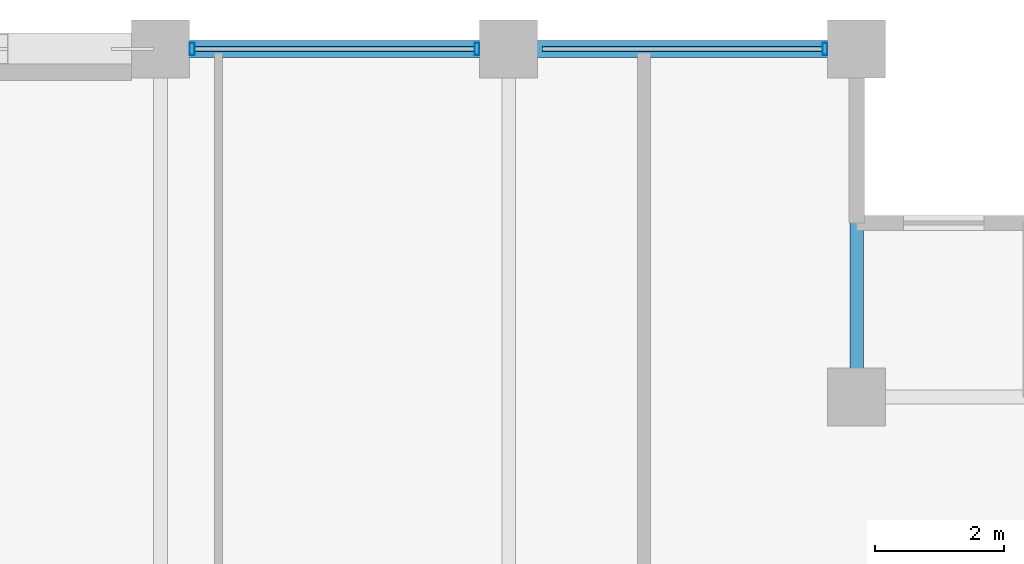
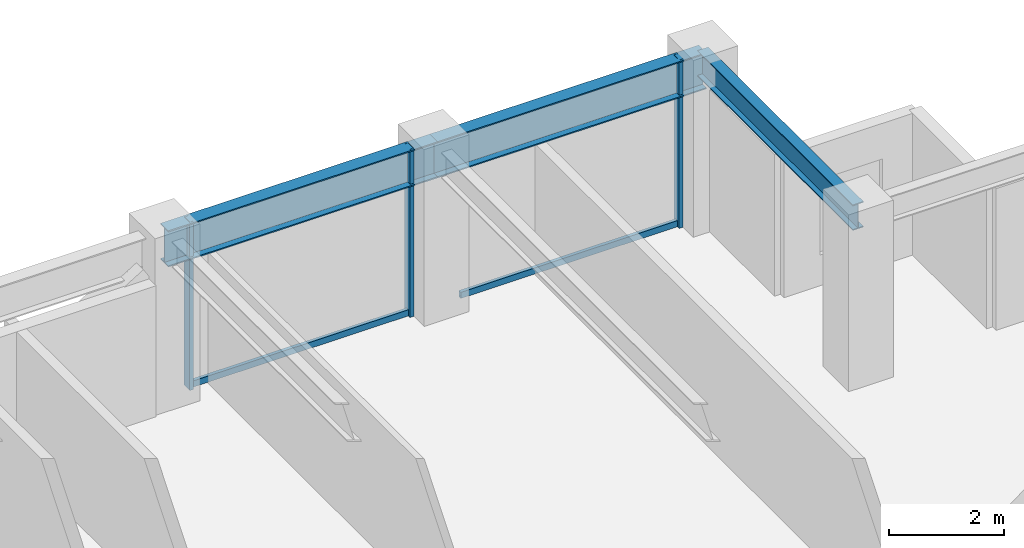
# One storey, part 19 of 28: 5 members, 3 beams, 1 element without a shape of its own.
"""IFC4 building model written with IfcOpenShell, lengths in metres."""

from ifc_helpers import new_model, si_unit, direction, frame, origin, origin_2d, place, context, subcontext, project, spatial, hollow_rectangle, i_section, extrude, material, layer, layer_set, material_profile, profile_set, type_object, element, aggregate, save


model = new_model("IFC4")

# Units and contexts
model_context = context("Model", 3, precision=1e-05, world=origin(), true_north=direction((0.0, 1.0)))
body_context = subcontext(model_context, "Body", "Model", "MODEL_VIEW")
ifc_project = project(units=[si_unit("LENGTHUNIT", "METRE"), si_unit("AREAUNIT", "SQUARE_METRE"), si_unit("VOLUMEUNIT", "CUBIC_METRE"), si_unit("PLANEANGLEUNIT", "RADIAN"), si_unit("MASSUNIT", "GRAM", prefix="KILO")], contexts=[model_context])

# Site, building, storey
site_placement = place(None, origin())
site = spatial("IfcSite", under=ifc_project, at=site_placement, CompositionType="ELEMENT")
building_placement = place(site_placement, origin())
building = spatial("IfcBuilding", under=site, at=building_placement, Name="Surkhivell Harbour Commons", CompositionType="ELEMENT")
storey_placement = place(building_placement, frame((0.0, 0.0, 182.25)))
storey = spatial("IfcBuildingStorey", under=building, at=storey_placement, Name="L47", CompositionType="ELEMENT", Elevation=182.25)

# Beams
ifc_material_1 = material(Name="Steel S355", Category="steel")
ifc_material_profile_1 = material_profile(ifc_material_1, i_section(OverallWidth=0.2119140625, OverallDepth=0.5439453125, WebThickness=0.0126953125, FlangeThickness=0.021240234375, at=origin_2d()), Name="UB533x210x122")
ifc_profile_set_1 = profile_set([ifc_material_profile_1], Name="Steel S355")
beam_type_1 = type_object("IfcBeamType", Name="BM-GRD-533A", PredefinedType="BEAM", material=ifc_profile_set_1)
beam_1_placement = place(storey_placement, frame((16.199951171875, 20.5, 3.298095703125), z_axis=(0.0, 1.0, 0.0), x_axis=(-1.0, 0.0, 0.0)))
element("IfcBeam", 1, at=beam_1_placement, inside=storey, type_object=beam_type_1, Name="L47 Floor Girder (16.2,20.5)", PredefinedType="BEAM", context=body_context, shape_type="SweptSolid", body=[
    extrude(i_section(OverallWidth=0.2119140625, OverallDepth=0.5439453125, WebThickness=0.0126953125, FlangeThickness=0.021240234375, at=origin_2d()), origin(), (0.0, 0.0, 1.0), 5.39990234375),
])
ifc_material_profile_2 = material_profile(ifc_material_1, i_section(OverallWidth=0.26806640625, OverallDepth=0.77001953125, WebThickness=0.015625, FlangeThickness=0.025390625, at=origin_2d()), Name="UB762x267x197")
ifc_profile_set_2 = profile_set([ifc_material_profile_2], Name="Steel S355")
beam_type_2 = type_object("IfcBeamType", Name="BM-SPN-762", PredefinedType="SPANDREL", material=ifc_profile_set_2)
beam_2_placement = place(storey_placement, frame((5.39990234375, 25.89990234375, 3.18505859375), z_axis=(1.0, 0.0, 0.0), x_axis=(0.0, 1.0, 0.0)))
element("IfcBeam", 2, at=beam_2_placement, inside=storey, type_object=beam_type_2, Name="L47 Tube Spandrel (5.4,25.9)", PredefinedType="SPANDREL", context=body_context, shape_type="SweptSolid", body=[
    extrude(i_section(OverallWidth=0.26806640625, OverallDepth=0.77001953125, WebThickness=0.015625, FlangeThickness=0.025390625, at=origin_2d()), origin(), (0.0, 0.0, 1.0), 5.400146484375),
])
beam_3_placement = place(storey_placement, frame((10.800048828125, 25.89990234375, 3.18505859375), z_axis=(1.0, 0.0, 0.0), x_axis=(0.0, 1.0, 0.0)))
element("IfcBeam", 3, at=beam_3_placement, inside=storey, type_object=beam_type_2, Name="L47 Tube Spandrel (10.8,25.9)", PredefinedType="SPANDREL", context=body_context, shape_type="SweptSolid", body=[
    extrude(i_section(OverallWidth=0.26806640625, OverallDepth=0.77001953125, WebThickness=0.015625, FlangeThickness=0.025390625, at=origin_2d()), origin(), (0.0, 0.0, 1.0), 5.39990234375),
])

# Curtain wall, members
ifc_material_2 = material(Name="Anodised pale-metal aluminium and insulated glazing", Category="aluminium")
ifc_layer = layer(ifc_material_2, 0.18994140625)
ifc_layer_set = layer_set([ifc_layer], Name="Anodised pale-metal aluminium and insulated glazing")
curtain_wall_type = type_object("IfcCurtainWallType", Name="CW-SYS-Z3", PredefinedType="NOTDEFINED", material=ifc_layer_set)
curtain_wall_placement = place(storey_placement, origin())
curtain_wall = element("IfcCurtainWall", 4, at=curtain_wall_placement, inside=storey, type_object=curtain_wall_type, Name="L47 Curtain Wall CW-L47-E07S1", PredefinedType="NOTDEFINED")
ifc_material_3 = material(Name="Anodised pale-metal aluminium alloy 6063-T6", Category="aluminium")
ifc_material_profile_3 = material_profile(ifc_material_3, hollow_rectangle(XDim=0.074951171875, YDim=0.18994140625, WallThickness=0.00390625, at=origin_2d()), Name="ALU-MULL-75x190")
ifc_profile_set_3 = profile_set([ifc_material_profile_3], Name="Anodised pale-metal aluminium alloy 6063-T6")
member_type_1 = type_object("IfcMemberType", Name="CWM-190", PredefinedType="MULLION", material=ifc_profile_set_3)
member_1_placement = place(storey_placement, frame((15.71044921875, 25.89990234375, 0.0), z_axis=(0.0, 0.0, 1.0), x_axis=(-1.0, 0.0, 0.0)))
member_1 = element("IfcMember", 5, at=member_1_placement, type_object=member_type_1, Name="CW-Z3 mullion 1", PredefinedType="MULLION", context=body_context, shape_type="SweptSolid", body=[
    extrude(hollow_rectangle(XDim=0.074951171875, YDim=0.18994140625, WallThickness=0.00390625, at=origin_2d()), origin(), (0.0, 0.0, 1.0), 3.570068359375),
])
member_2_placement = place(storey_placement, frame((10.310546875, 25.89990234375, 0.0), z_axis=(0.0, 0.0, 1.0), x_axis=(-1.0, 0.0, 0.0)))
member_2 = element("IfcMember", 6, at=member_2_placement, type_object=member_type_1, Name="CW-Z3 mullion 2", PredefinedType="MULLION", context=body_context, shape_type="SweptSolid", body=[
    extrude(hollow_rectangle(XDim=0.074951171875, YDim=0.18994140625, WallThickness=0.00390625, at=origin_2d()), origin(), (0.0, 0.0, 1.0), 3.570068359375),
])
member_3_placement = place(storey_placement, frame((5.889404296875, 25.89990234375, 0.0), z_axis=(0.0, 0.0, 1.0), x_axis=(-1.0, 0.0, 0.0)))
member_3 = element("IfcMember", 7, at=member_3_placement, type_object=member_type_1, Name="CW-Z3 mullion 3", PredefinedType="MULLION", context=body_context, shape_type="SweptSolid", body=[
    extrude(hollow_rectangle(XDim=0.074951171875, YDim=0.18994140625, WallThickness=0.00390625, at=origin_2d()), origin(), (0.0, 0.0, 1.0), 3.570068359375),
])
ifc_material_4 = material(Name="Champagne anodised aluminium alloy 6063-T6", Category="aluminium")
ifc_material_profile_4 = material_profile(ifc_material_4, hollow_rectangle(XDim=0.070068359375, YDim=0.1298828125, WallThickness=0.00341796875, at=origin_2d()), Name="ALU-TRAN-70x130")
ifc_profile_set_4 = profile_set([ifc_material_profile_4], Name="Champagne anodised aluminium alloy 6063-T6")
member_type_2 = type_object("IfcMemberType", Name="CWT-130", PredefinedType="USERDEFINED", material=ifc_profile_set_4)
member_4_placement = place(storey_placement, frame((15.673095703125, 25.89990234375, 0.06494140625), z_axis=(-1.0, 0.0, 0.0), x_axis=(0.0, -1.0, 0.0)))
member_4 = element("IfcMember", 8, at=member_4_placement, type_object=member_type_2, Name="CW-Z3 transom 1.1", ObjectType="TRANSOM", PredefinedType="USERDEFINED", context=body_context, shape_type="SweptSolid", body=[
    extrude(hollow_rectangle(XDim=0.070068359375, YDim=0.1298828125, WallThickness=0.00341796875, at=origin_2d()), origin(), (0.0, 0.0, 1.0), 4.34619140625),
])
member_5_placement = place(storey_placement, frame((10.27294921875, 25.89990234375, 0.06494140625), z_axis=(-1.0, 0.0, 0.0), x_axis=(0.0, -1.0, 0.0)))
member_5 = element("IfcMember", 9, at=member_5_placement, type_object=member_type_2, Name="CW-Z3 transom 2.1", ObjectType="TRANSOM", PredefinedType="USERDEFINED", context=body_context, shape_type="SweptSolid", body=[
    extrude(hollow_rectangle(XDim=0.070068359375, YDim=0.1298828125, WallThickness=0.00341796875, at=origin_2d()), origin(), (0.0, 0.0, 1.0), 4.345947265625),
])
aggregate(curtain_wall, [member_1, member_4, member_2, member_3, member_5])

save(model, "model.ifc")
